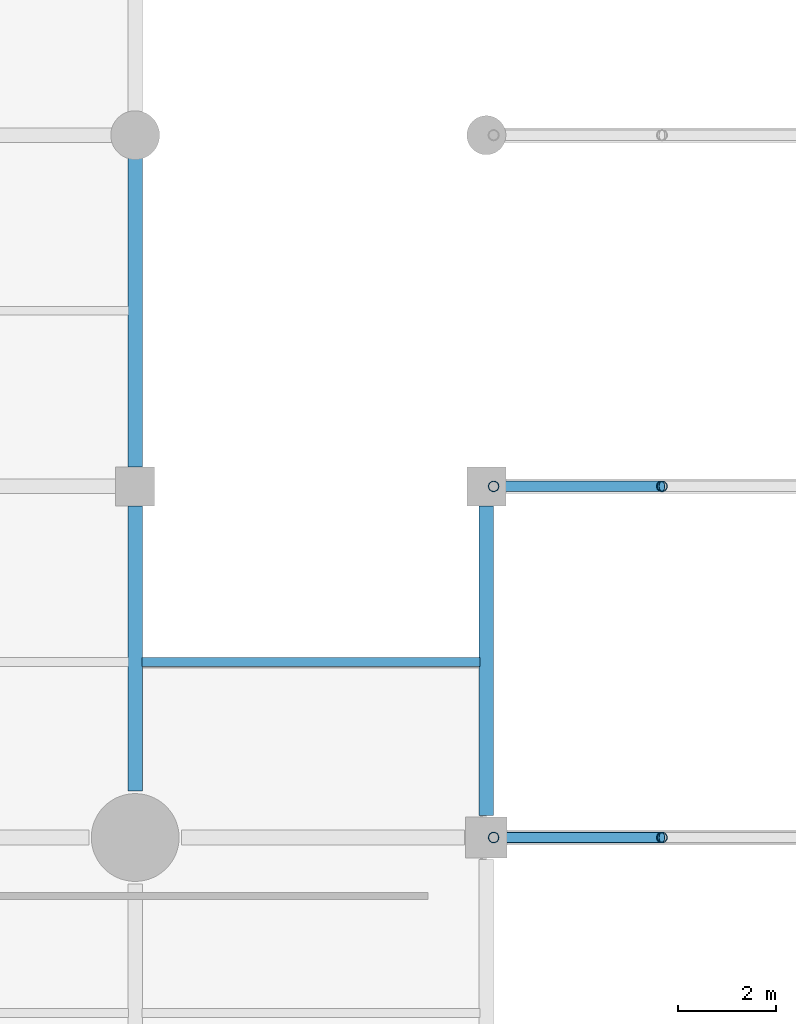
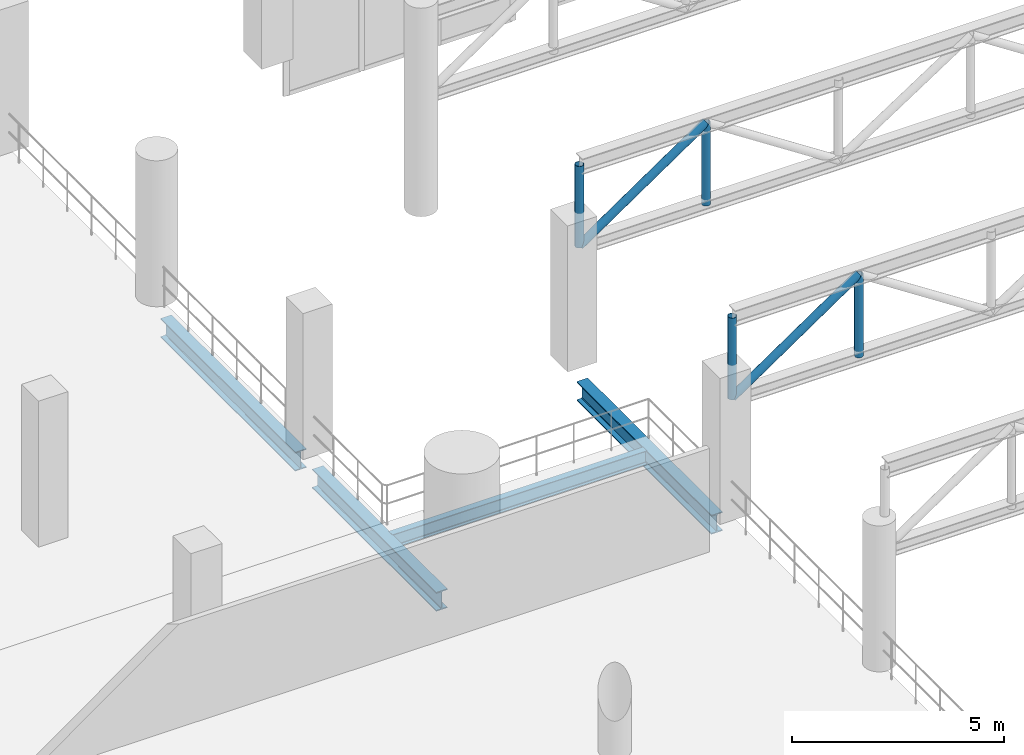
# One storey, part 59 of 153: 6 members, 4 beams.
"""IFC4 building model written with IfcOpenShell, lengths in metres."""

from ifc_helpers import new_model, si_unit, direction, frame, origin, origin_2d, place, context, subcontext, project, spatial, hollow_circle, i_section, extrude, material, material_profile, profile_set, type_object, element, save


model = new_model("IFC4")

# Units and contexts
model_context = context("Model", 3, precision=1e-05, world=origin(), true_north=direction((0.0, 1.0)))
body_context = subcontext(model_context, "Body", "Model", "MODEL_VIEW")
ifc_project = project(units=[si_unit("LENGTHUNIT", "METRE"), si_unit("AREAUNIT", "SQUARE_METRE"), si_unit("VOLUMEUNIT", "CUBIC_METRE"), si_unit("PLANEANGLEUNIT", "RADIAN"), si_unit("MASSUNIT", "GRAM", prefix="KILO")], contexts=[model_context])

# Site, building, storey
site_placement = place(None, origin())
site = spatial("IfcSite", under=ifc_project, at=site_placement, CompositionType="ELEMENT")
building_placement = place(site_placement, origin())
building = spatial("IfcBuilding", under=site, at=building_placement, Name="Qandorah Velis Arena", CompositionType="ELEMENT")
storey_placement = place(building_placement, frame((0.0, 0.0, 5.39990234375)))
storey = spatial("IfcBuildingStorey", under=building, at=storey_placement, Name="L01", CompositionType="ELEMENT", Elevation=5.39990234375)

# Beams
ifc_material = material(Name="Steel S355", Category="steel")
ifc_material_profile_1 = material_profile(ifc_material, i_section(OverallWidth=0.300048828125, OverallDepth=0.550048828125, WebThickness=0.014892578125, FlangeThickness=0.029052734375, FilletRadius=0.027099609375, at=origin_2d()), Name="HEB 550")
ifc_profile_set_1 = profile_set([ifc_material_profile_1], Name="Steel S355")
beam_type_1 = type_object("IfcBeamType", Name="STR-BM-HEB550", PredefinedType="BEAM", material=ifc_profile_set_1)
beam_1_placement = place(storey_placement, frame((115.199951171875, 101.75, -0.635009765625), z_axis=(0.0, 1.0, 0.0), x_axis=(-1.0, 0.0, 0.0)))
element("IfcBeam", 1, at=beam_1_placement, inside=storey, type_object=beam_type_1, Name="Primary floor girder L01 Y-390", PredefinedType="BEAM", context=body_context, shape_type="SweptSolid", body=[
    extrude(i_section(OverallWidth=0.300048828125, OverallDepth=0.550048828125, WebThickness=0.014892578125, FlangeThickness=0.029052734375, FilletRadius=0.027099609375, at=origin_2d()), origin(), (0.0, 0.0, 1.0), 5.85009765625),
])
for number, where, z_axis, x_axis, name in (
    (2, (115.199951171875, 108.39990234375, -0.635009765625), (0.0, 1.0, 0.0), (-1.0, 0.0, 0.0), "Primary floor girder L01 Y-391"),
    (3, (122.39990234375, 101.25, -0.635009765625), (0.0, 1.0, 0.0), (-1.0, 0.0, 0.0), "Primary floor girder L01 Y-400"),
):
    element("IfcBeam", number, at=place(storey_placement, frame(where, z_axis=z_axis, x_axis=x_axis)), inside=storey, type_object=beam_type_1, Name=name, PredefinedType="BEAM", context=body_context, shape_type="SweptSolid", body=[
        extrude(i_section(OverallWidth=0.300048828125, OverallDepth=0.550048828125, WebThickness=0.014892578125, FlangeThickness=0.029052734375, FilletRadius=0.027099609375, at=origin_2d()), origin(), (0.0, 0.0, 1.0), 6.35009765625),
    ])
ifc_material_profile_2 = material_profile(ifc_material, i_section(OverallWidth=0.179931640625, OverallDepth=0.39990234375, WebThickness=0.008544921875, FlangeThickness=0.013427734375, FilletRadius=0.02099609375, at=origin_2d()), Name="IPE 400")
ifc_profile_set_2 = profile_set([ifc_material_profile_2], Name="Steel S355")
beam_type_2 = type_object("IfcBeamType", Name="STR-JST-IPE400", PredefinedType="JOIST", material=ifc_profile_set_2)
beam_2_placement = place(storey_placement, frame((115.3349609375, 104.39990234375, -0.559814453125), z_axis=(1.0, 0.0, 0.0), x_axis=(0.0, 1.0, 0.0)))
element("IfcBeam", 4, at=beam_2_placement, inside=storey, type_object=beam_type_2, Name="Secondary floor joist L01-137", PredefinedType="JOIST", context=body_context, shape_type="SweptSolid", body=[
    extrude(i_section(OverallWidth=0.179931640625, OverallDepth=0.39990234375, WebThickness=0.008544921875, FlangeThickness=0.013427734375, FilletRadius=0.02099609375, at=origin_2d()), origin(), (0.0, 0.0, 1.0), 6.929931640625),
])

# Members
ifc_material_profile_3 = material_profile(ifc_material, hollow_circle(Radius=0.109619140625, WallThickness=0.010009765625, at=origin_2d()), Name="CHS 219.1x10")
ifc_profile_set_3 = profile_set([ifc_material_profile_3], Name="Steel S355")
member_type = type_object("IfcMemberType", Name="STR-SFD-CHS219X10", PredefinedType="STRUT", material=ifc_profile_set_3)
member_1_placement = place(storey_placement, frame((122.550048828125, 100.800048828125, 3.205078125), z_axis=(0.0, 0.0, 1.0), x_axis=(1.0, 0.0, 0.0)))
element("IfcMember", 5, at=member_1_placement, inside=storey, type_object=member_type, Name="Practice court roof truss 2 vertical 1", PredefinedType="STRUT", context=body_context, shape_type="SweptSolid", body=[
    extrude(hollow_circle(Radius=0.109619140625, WallThickness=0.010009765625, at=origin_2d()), origin(), (0.0, 0.0, 1.0), 2.35009765625),
])
member_2_placement = place(storey_placement, frame((122.550048828125, 100.800048828125, 3.205078125), z_axis=(0.826466079645, 0.0, 0.562986517774), x_axis=(0.0, 1.0, 0.0)))
element("IfcMember", 6, at=member_2_placement, inside=storey, type_object=member_type, Name="Practice court roof truss 2 web diagonal 1", PredefinedType="STRUT", context=body_context, shape_type="SweptSolid", body=[
    extrude(hollow_circle(Radius=0.109619140625, WallThickness=0.010009765625, at=origin_2d()), origin(), (0.0, 0.0, 1.0), 4.17431640625),
])
for number, where, z_axis, x_axis, name in (
    (7, (126.0, 100.800048828125, 3.205078125), (0.0, 0.0, 1.0), (1.0, 0.0, 0.0), "Practice court roof truss 2 vertical 2"),
    (8, (122.550048828125, 108.0, 3.205078125), (0.0, 0.0, 1.0), (1.0, 0.0, 0.0), "Practice court roof truss 3 vertical 1"),
):
    element("IfcMember", number, at=place(storey_placement, frame(where, z_axis=z_axis, x_axis=x_axis)), inside=storey, type_object=member_type, Name=name, PredefinedType="STRUT", context=body_context, shape_type="SweptSolid", body=[
        extrude(hollow_circle(Radius=0.109619140625, WallThickness=0.010009765625, at=origin_2d()), origin(), (0.0, 0.0, 1.0), 2.35009765625),
    ])
member_3_placement = place(storey_placement, frame((122.550048828125, 108.0, 3.205078125), z_axis=(0.826466079645, 0.0, 0.562986517774), x_axis=(0.0, 1.0, 0.0)))
element("IfcMember", 9, at=member_3_placement, inside=storey, type_object=member_type, Name="Practice court roof truss 3 web diagonal 1", PredefinedType="STRUT", context=body_context, shape_type="SweptSolid", body=[
    extrude(hollow_circle(Radius=0.109619140625, WallThickness=0.010009765625, at=origin_2d()), origin(), (0.0, 0.0, 1.0), 4.17431640625),
])
member_4_placement = place(storey_placement, frame((126.0, 108.0, 3.205078125), z_axis=(0.0, 0.0, 1.0), x_axis=(1.0, 0.0, 0.0)))
element("IfcMember", 10, at=member_4_placement, inside=storey, type_object=member_type, Name="Practice court roof truss 3 vertical 2", PredefinedType="STRUT", context=body_context, shape_type="SweptSolid", body=[
    extrude(hollow_circle(Radius=0.109619140625, WallThickness=0.010009765625, at=origin_2d()), origin(), (0.0, 0.0, 1.0), 2.35009765625),
])

save(model, "model.ifc")
